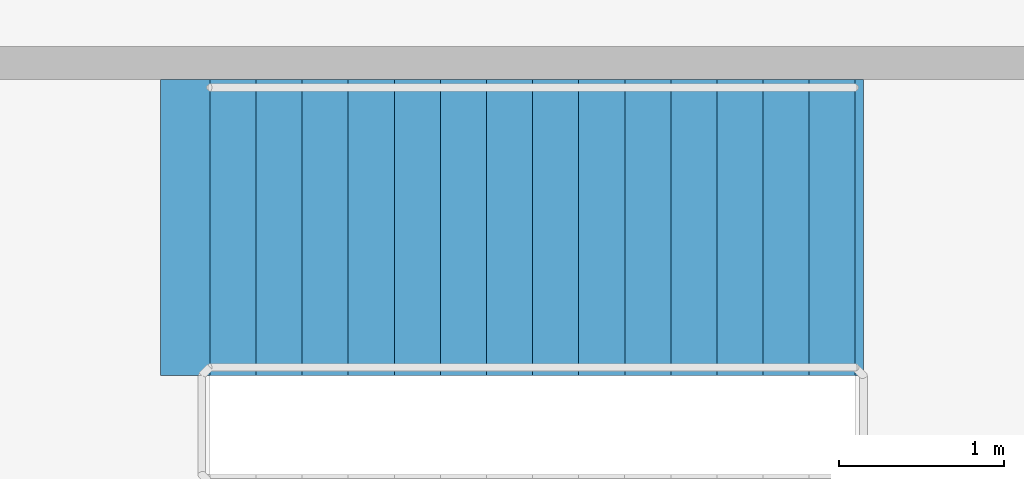
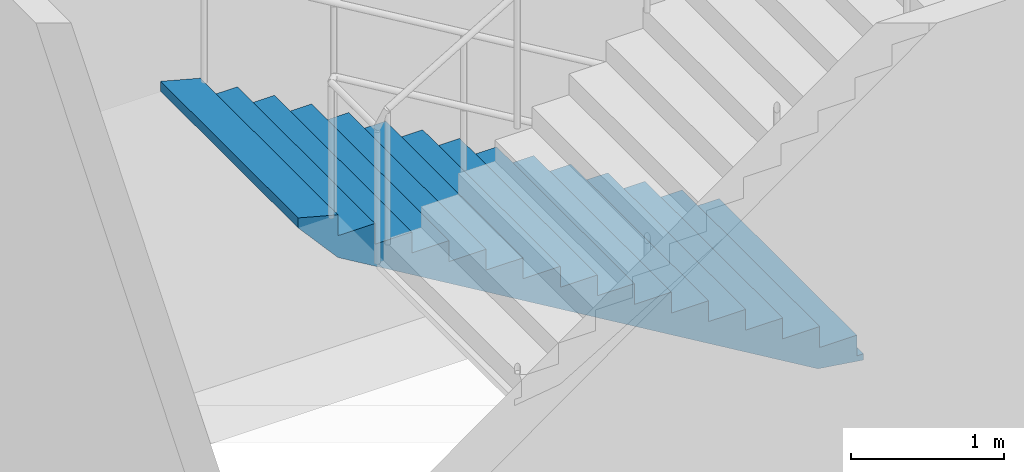
# One storey, part 24 of 29: 1 stair flight, 1 element without a shape of its own.
"""IFC4 building model written with IfcOpenShell, lengths in metres."""

from ifc_helpers import new_model, si_unit, direction, frame, origin, place, context, subcontext, project, spatial, polyline, outline, extrude, material, type_object, element, aggregate, save


model = new_model("IFC4")

# Units and contexts
model_context = context("Model", 3, precision=1e-05, world=origin(), true_north=direction((0.0, 1.0)))
body_context = subcontext(model_context, "Body", "Model", "MODEL_VIEW")
ifc_project = project(units=[si_unit("LENGTHUNIT", "METRE"), si_unit("AREAUNIT", "SQUARE_METRE"), si_unit("VOLUMEUNIT", "CUBIC_METRE"), si_unit("PLANEANGLEUNIT", "RADIAN"), si_unit("MASSUNIT", "GRAM", prefix="KILO")], contexts=[model_context])

# Site, building, storey
site_placement = place(None, origin())
site = spatial("IfcSite", under=ifc_project, at=site_placement, CompositionType="ELEMENT")
building_placement = place(site_placement, origin())
building = spatial("IfcBuilding", under=site, at=building_placement, Name="Zarbagh Exchange Tower", CompositionType="ELEMENT")
storey_placement = place(building_placement, frame((0.0, 0.0, 12.0)))
storey = spatial("IfcBuildingStorey", under=building, at=storey_placement, Name="L02", CompositionType="ELEMENT", Elevation=12.0)

# Stair, stair flight
ifc_material = material(Name="Concrete C40/50", Category="concrete")
stair_type = type_object("IfcStairType", Name="Exit stair two-flight half-turn", PredefinedType="HALF_TURN_STAIR", material=ifc_material)
stair_placement = place(storey_placement, origin())
stair = element("IfcStair", 1, at=stair_placement, inside=storey, type_object=stair_type, Name="exit stair PS3", PredefinedType="HALF_TURN_STAIR")
stair_flight_type = type_object("IfcStairFlightType", Name="Stair flight 1800 mm", PredefinedType="STRAIGHT", material=ifc_material)
stair_flight_placement = place(storey_placement, frame((33.800048828125, 9.800048828125, 0.0), z_axis=(0.0, 0.0, 1.0), x_axis=(-1.0, 0.0, 0.0)))
stair_flight = element("IfcStairFlight", 2, at=stair_flight_placement, type_object=stair_flight_type, Name="PS3 flight 1", NumberOfRisers=15, NumberOfTreads=14, PredefinedType="STRAIGHT", RiserHeight=0.166666667, TreadLength=0.28, context=body_context, shape_type="SweptSolid", body=[
    extrude(outline(polyline([(-0.050048828125, -0.050048828125), (-0.050048828125, 0.0), (0.0, 0.0), (0.0, 0.166748046875), (0.280029296875, 0.166748046875), (0.280029296875, 0.333251953125), (0.56005859375, 0.333251953125), (0.56005859375, 0.5), (0.840087890625, 0.5), (0.840087890625, 0.666748046875), (1.1201171875, 0.666748046875), (1.1201171875, 0.833251953125), (1.39990234375, 0.833251953125), (1.39990234375, 1.0), (1.679931640625, 1.0), (1.679931640625, 1.166748046875), (1.9599609375, 1.166748046875), (1.9599609375, 1.333251953125), (2.239990234375, 1.333251953125), (2.239990234375, 1.5), (2.52001953125, 1.5), (2.52001953125, 1.666748046875), (2.800048828125, 1.666748046875), (2.800048828125, 1.833251953125), (3.080078125, 1.833251953125), (3.080078125, 2.0), (3.360107421875, 2.0), (3.360107421875, 2.166748046875), (3.639892578125, 2.166748046875), (3.639892578125, 2.333251953125), (3.919921875, 2.333251953125), (3.919921875, 2.5), (4.219970703125, 2.580078125), (4.219970703125, 2.5), (3.919921875, 2.158935546875), (0.29296875, 0.0), (-0.050048828125, -0.050048828125)])), frame((0.0, 0.89990234375, 0.0), z_axis=(0.0, -1.0, 0.0), x_axis=(1.0, 0.0, 0.0)), (0.0, 0.0, 1.0), 1.800048828125),
])
aggregate(stair, [stair_flight])

save(model, "model.ifc")
